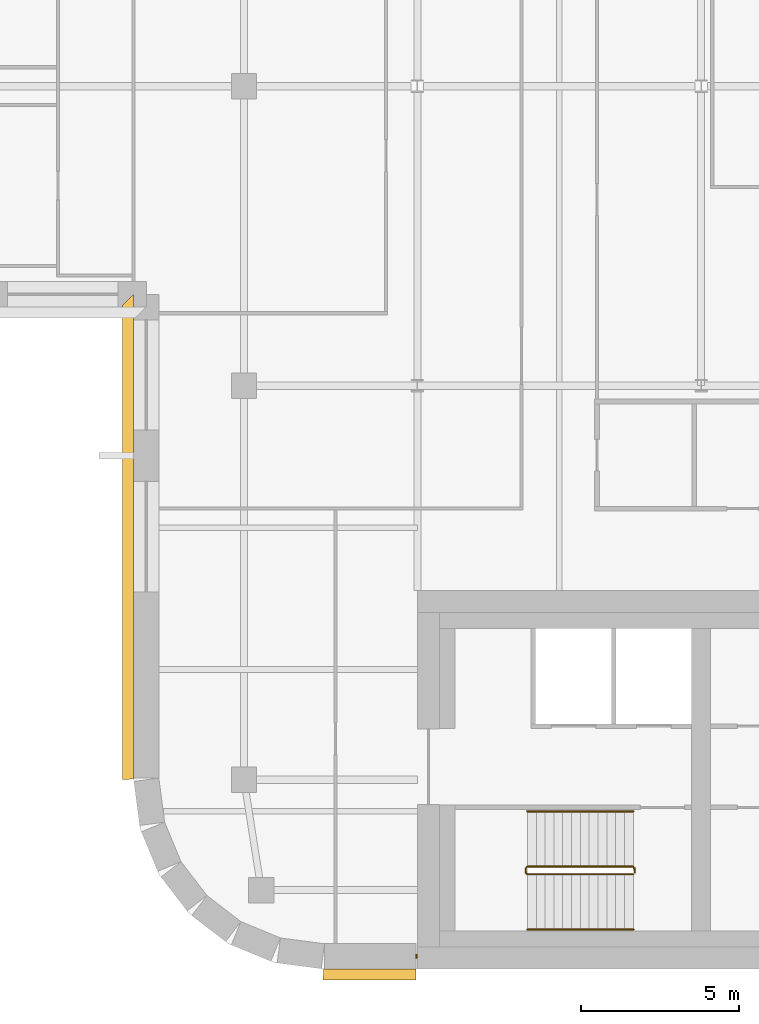
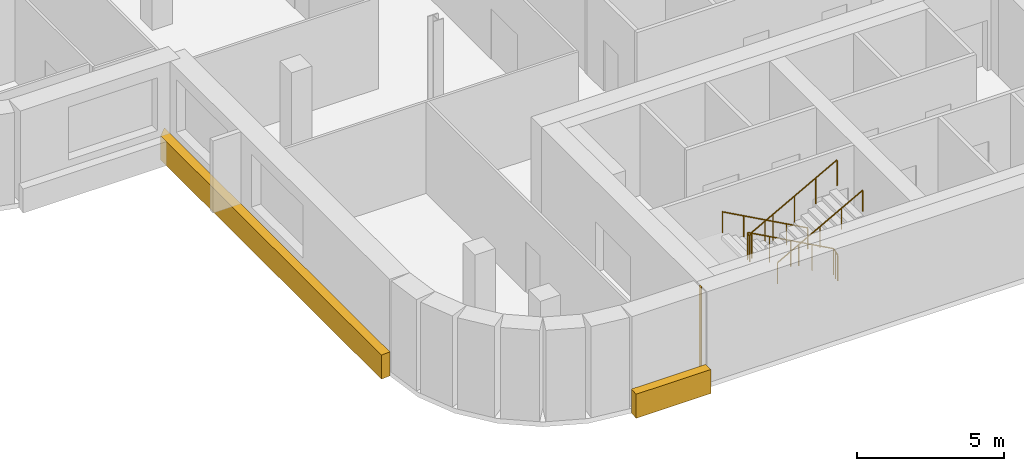
# One storey, part 14 of 17: 3 coverings, 3 railings.
"""IFC4 building model written with IfcOpenShell, lengths in metres."""

from ifc_helpers import new_model, si_unit, direction, frame, origin, origin_2d, place, context, subcontext, project, spatial, polyline, rectangle, circle, outline, extrude, material, layer, layer_set, type_object, element, save


model = new_model("IFC4")

# Units and contexts
model_context = context("Model", 3, precision=1e-05, world=origin(), true_north=direction((0.0, 1.0)))
body_context = subcontext(model_context, "Body", "Model", "MODEL_VIEW")
ifc_project = project(units=[si_unit("LENGTHUNIT", "METRE"), si_unit("AREAUNIT", "SQUARE_METRE"), si_unit("VOLUMEUNIT", "CUBIC_METRE"), si_unit("PLANEANGLEUNIT", "RADIAN"), si_unit("MASSUNIT", "GRAM", prefix="KILO")], contexts=[model_context])

# Site, building, storey
site_placement = place(None, origin())
site = spatial("IfcSite", under=ifc_project, at=site_placement, CompositionType="ELEMENT")
building_placement = place(site_placement, origin())
building = spatial("IfcBuilding", under=site, at=building_placement, Name="Zellij Exchange Tower", CompositionType="ELEMENT")
storey_placement = place(building_placement, frame((0.0, 0.0, 224.5)))
storey = spatial("IfcBuildingStorey", under=building, at=storey_placement, Name="L52", CompositionType="ELEMENT", Elevation=224.5)

# Railings
ifc_material_1 = material(Name="Stainless steel", Category="steel")
railing_type_1 = type_object("IfcRailingType", Name="CORE-RG stair guard", PredefinedType="GUARDRAIL", material=ifc_material_1)
railing_1_placement = place(storey_placement, frame((-20.10009765625, -10.800048828125, 0.0)))
element("IfcRailing", 1, at=railing_1_placement, inside=storey, type_object=railing_type_1, Name="ST1 stair guard L52", PredefinedType="GUARDRAIL", context=body_context, shape_type="SweptSolid", body=[
    extrude(circle(Radius=0.02392578125, at=origin_2d()), frame((0.0, 0.0, 1.076171875), z_axis=(0.0, -1.0, 0.0), x_axis=(1.0, 0.0, 0.0)), (0.0, 0.0, 1.0), 0.14990234375),
    extrude(circle(Radius=0.02392578125, at=origin_2d()), frame((0.0, -0.14990234375, 1.076171875), z_axis=(-0.193691321961, 0.777613689637, 0.598164376644), x_axis=(-0.970351222016, -0.241699205484, 0.0)), (0.0, 0.0, 1.0), 0.257080078125),
    extrude(circle(Radius=0.02392578125, at=origin_2d()), frame((-0.0498046875, 0.050048828125, 1.22998046875), z_axis=(-0.876421534553, 0.0, 0.481544695509), x_axis=(0.0, -1.0, 0.0)), (0.0, 0.0, 1.0), 3.833984375),
    extrude(circle(Radius=0.02392578125, at=origin_2d()), frame((-3.409912109375, 0.050048828125, 3.076171875), z_axis=(-0.707106781187, -0.707106781187, 0.0), x_axis=(0.707106781187, -0.707106781187, 0.0)), (0.0, 0.0, 1.0), 0.07080078125),
    extrude(circle(Radius=0.02392578125, at=origin_2d()), frame((-3.4599609375, 0.0, 3.076171875), z_axis=(0.0, -1.0, 0.0), x_axis=(1.0, 0.0, 0.0)), (0.0, 0.0, 1.0), 0.14990234375),
    extrude(circle(Radius=0.02392578125, at=origin_2d()), frame((-3.4599609375, -0.14990234375, 3.076171875), z_axis=(0.295599637079, -0.295599637079, 0.908428152975), x_axis=(0.707106781187, 0.707106781187, 0.0)), (0.0, 0.0, 1.0), 0.16943359375),
    extrude(circle(Radius=0.02392578125, at=origin_2d()), frame((-3.409912109375, -0.199951171875, 3.22998046875), z_axis=(0.876421534553, 0.0, 0.481544695509), x_axis=(0.0, 1.0, 0.0)), (0.0, 0.0, 1.0), 3.833984375),
    extrude(circle(Radius=0.02099609375, at=origin_2d()), origin(), (0.0, 0.0, 1.0), 1.052001953125),
    extrude(circle(Radius=0.02099609375, at=origin_2d()), frame((0.0, -0.14990234375, 0.0)), (0.0, 0.0, 1.0), 1.052001953125),
    extrude(circle(Radius=0.02099609375, at=origin_2d()), frame((-0.0498046875, 0.050048828125, 0.15380859375)), (0.0, 0.0, 1.0), 1.052001953125),
    extrude(circle(Radius=0.02099609375, at=origin_2d()), frame((-0.889892578125, 0.050048828125, 0.615234375)), (0.0, 0.0, 1.0), 1.052001953125),
    extrude(circle(Radius=0.02099609375, at=origin_2d()), frame((-1.72998046875, 0.050048828125, 1.076904296875)), (0.0, 0.0, 1.0), 1.052001953125),
    extrude(circle(Radius=0.02099609375, at=origin_2d()), frame((-2.56982421875, 0.050048828125, 1.53857421875)), (0.0, 0.0, 1.0), 1.052001953125),
    extrude(circle(Radius=0.02099609375, at=origin_2d()), frame((-3.409912109375, 0.050048828125, 2.0)), (0.0, 0.0, 1.0), 1.052001953125),
    extrude(circle(Radius=0.02099609375, at=origin_2d()), frame((-3.4599609375, 0.0, 2.0)), (0.0, 0.0, 1.0), 1.052001953125),
    extrude(circle(Radius=0.02099609375, at=origin_2d()), frame((-3.4599609375, -0.14990234375, 2.0)), (0.0, 0.0, 1.0), 1.052001953125),
    extrude(circle(Radius=0.02099609375, at=origin_2d()), frame((-3.409912109375, -0.199951171875, 2.15380859375)), (0.0, 0.0, 1.0), 1.052001953125),
    extrude(circle(Radius=0.02099609375, at=origin_2d()), frame((-2.56982421875, -0.199951171875, 2.615234375)), (0.0, 0.0, 1.0), 1.052001953125),
    extrude(circle(Radius=0.02099609375, at=origin_2d()), frame((-1.72998046875, -0.199951171875, 3.076904296875)), (0.0, 0.0, 1.0), 1.052001953125),
    extrude(circle(Radius=0.02099609375, at=origin_2d()), frame((-0.889892578125, -0.199951171875, 3.53857421875)), (0.0, 0.0, 1.0), 1.052001953125),
    extrude(circle(Radius=0.02099609375, at=origin_2d()), frame((-0.0498046875, -0.199951171875, 4.0)), (0.0, 0.0, 1.0), 1.052001953125),
])
railing_type_2 = type_object("IfcRailingType", Name="CORE-RH stair handrail", PredefinedType="HANDRAIL", material=ifc_material_1)
railing_2_placement = place(storey_placement, frame((-20.14990234375, -9.0, 0.15380859375)))
element("IfcRailing", 2, at=railing_2_placement, inside=storey, type_object=railing_type_2, Name="ST1 stair handrail L52", PredefinedType="HANDRAIL", context=body_context, shape_type="SweptSolid", body=[
    extrude(circle(Radius=0.02392578125, at=origin_2d()), frame((0.0, 0.0, 0.8759765625), z_axis=(-0.876421534553, 0.0, 0.481544695509), x_axis=(0.0, -1.0, 0.0)), (0.0, 0.0, 1.0), 3.833984375),
    extrude(circle(Radius=0.02099609375, at=origin_2d()), origin(), (0.0, 0.0, 1.0), 0.851806640625),
    extrude(circle(Radius=0.02099609375, at=origin_2d()), frame((-0.840087890625, 0.0, 0.46142578125)), (0.0, 0.0, 1.0), 0.851806640625),
    extrude(circle(Radius=0.02099609375, at=origin_2d()), frame((-1.68017578125, 0.0, 0.923095703125)), (0.0, 0.0, 1.0), 0.851806640625),
    extrude(circle(Radius=0.02099609375, at=origin_2d()), frame((-2.52001953125, 0.0, 1.384765625)), (0.0, 0.0, 1.0), 0.851806640625),
    extrude(circle(Radius=0.02099609375, at=origin_2d()), frame((-3.360107421875, 0.0, 1.84619140625)), (0.0, 0.0, 1.0), 0.851806640625),
])
railing_3_placement = place(storey_placement, frame((-23.510009765625, -12.75, 2.15380859375)))
element("IfcRailing", 3, at=railing_3_placement, inside=storey, type_object=railing_type_2, Name="ST1 stair handrail L52", PredefinedType="HANDRAIL", context=body_context, shape_type="SweptSolid", body=[
    extrude(circle(Radius=0.02392578125, at=origin_2d()), frame((0.0, 0.0, 0.8759765625), z_axis=(0.876421534553, 0.0, 0.481544695509), x_axis=(0.0, 1.0, 0.0)), (0.0, 0.0, 1.0), 3.833984375),
    extrude(circle(Radius=0.02099609375, at=origin_2d()), origin(), (0.0, 0.0, 1.0), 0.851806640625),
    extrude(circle(Radius=0.02099609375, at=origin_2d()), frame((0.840087890625, 0.0, 0.46142578125)), (0.0, 0.0, 1.0), 0.851806640625),
    extrude(circle(Radius=0.02099609375, at=origin_2d()), frame((1.68017578125, 0.0, 0.923095703125)), (0.0, 0.0, 1.0), 0.851806640625),
    extrude(circle(Radius=0.02099609375, at=origin_2d()), frame((2.52001953125, 0.0, 1.384765625)), (0.0, 0.0, 1.0), 0.851806640625),
    extrude(circle(Radius=0.02099609375, at=origin_2d()), frame((3.360107421875, 0.0, 1.84619140625)), (0.0, 0.0, 1.0), 0.851806640625),
])

# Coverings
ifc_material_2 = material(Name="Limestone cladding", Category="masonry")
ifc_layer_1 = layer(ifc_material_2, 0.35009765625)
ifc_layer_set_1 = layer_set([ifc_layer_1], Name="Limestone cladding")
covering_type_1 = type_object("IfcCoveringType", Name="ENV-CV10 Stone spandrel band 350", PredefinedType="CLADDING", material=ifc_layer_set_1)
covering_1_placement = place(storey_placement, frame((0.0, 0.0, -0.199951171875)))
element("IfcCovering", 4, at=covering_1_placement, inside=storey, type_object=covering_type_1, Name="Stone spandrel band", PredefinedType="CLADDING", context=body_context, shape_type="SweptSolid", body=[
    extrude(outline(polyline([(-29.973876953125, -14.0), (-27.050048828125, -14.0), (-27.050048828125, -14.35009765625), (-29.99658203125, -14.35009765625), (-29.973876953125, -14.0)])), origin(), (0.0, 0.0, 1.0), 1.0),
])
covering_2_placement = place(storey_placement, frame((0.0, 0.0, -0.199951171875)))
element("IfcCovering", 5, at=covering_2_placement, inside=storey, type_object=covering_type_1, Name="Stone spandrel band", PredefinedType="CLADDING", context=body_context, shape_type="SweptSolid", body=[
    extrude(outline(polyline([(-36.0, 7.39990234375), (-36.0, -7.973876953125), (-36.35009765625, -7.99658203125), (-36.35009765625, 7.050048828125), (-36.0, 7.39990234375)])), origin(), (0.0, 0.0, 1.0), 1.0),
])
ifc_layer_2 = layer(ifc_material_2, 0.1201171875)
ifc_layer_set_2 = layer_set([ifc_layer_2], Name="Limestone cladding")
covering_type_2 = type_object("IfcCoveringType", Name="ENV-CV18 Glazing closer 120", PredefinedType="CLADDING", material=ifc_layer_set_2)
covering_3_placement = place(storey_placement, frame((-27.02490234375, -13.60009765625, 0.0), z_axis=(0.0, 0.0, 1.0), x_axis=(1.0, 0.0, 0.0)))
element("IfcCovering", 6, at=covering_3_placement, inside=storey, type_object=covering_type_2, Name="Glazing closer", PredefinedType="CLADDING", context=body_context, shape_type="SweptSolid", body=[
    extrude(rectangle(XDim=0.050048828125, YDim=0.1201171875, at=origin_2d()), origin(), (0.0, 0.0, 1.0), 3.800048828125),
])

save(model, "model.ifc")
